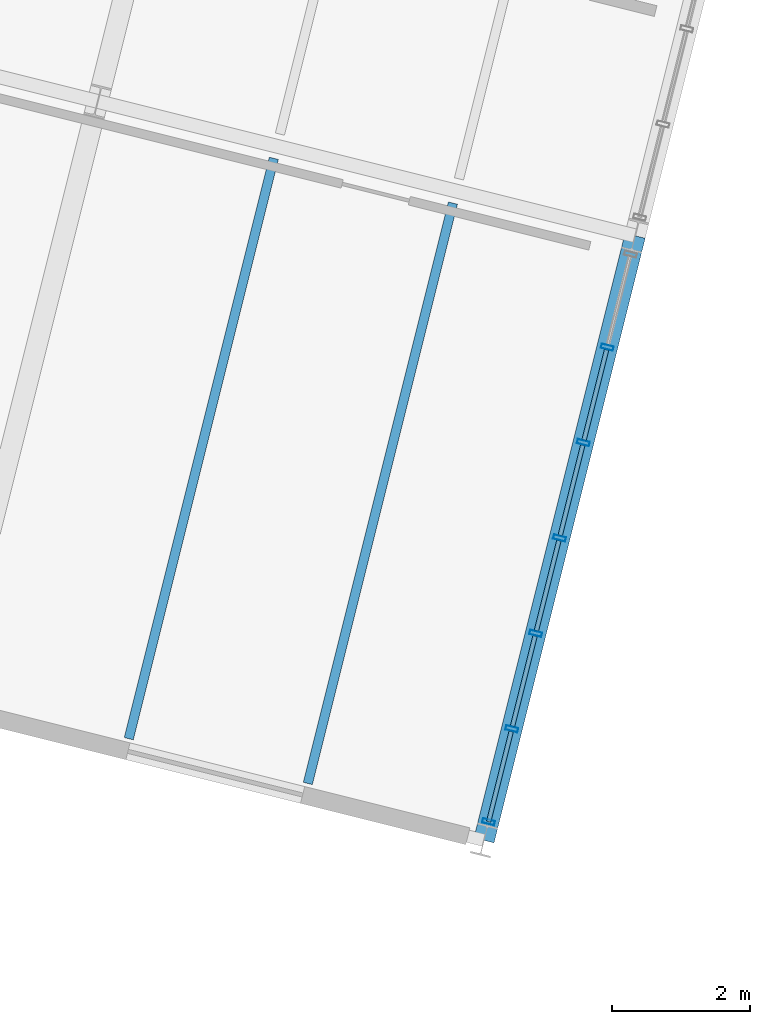
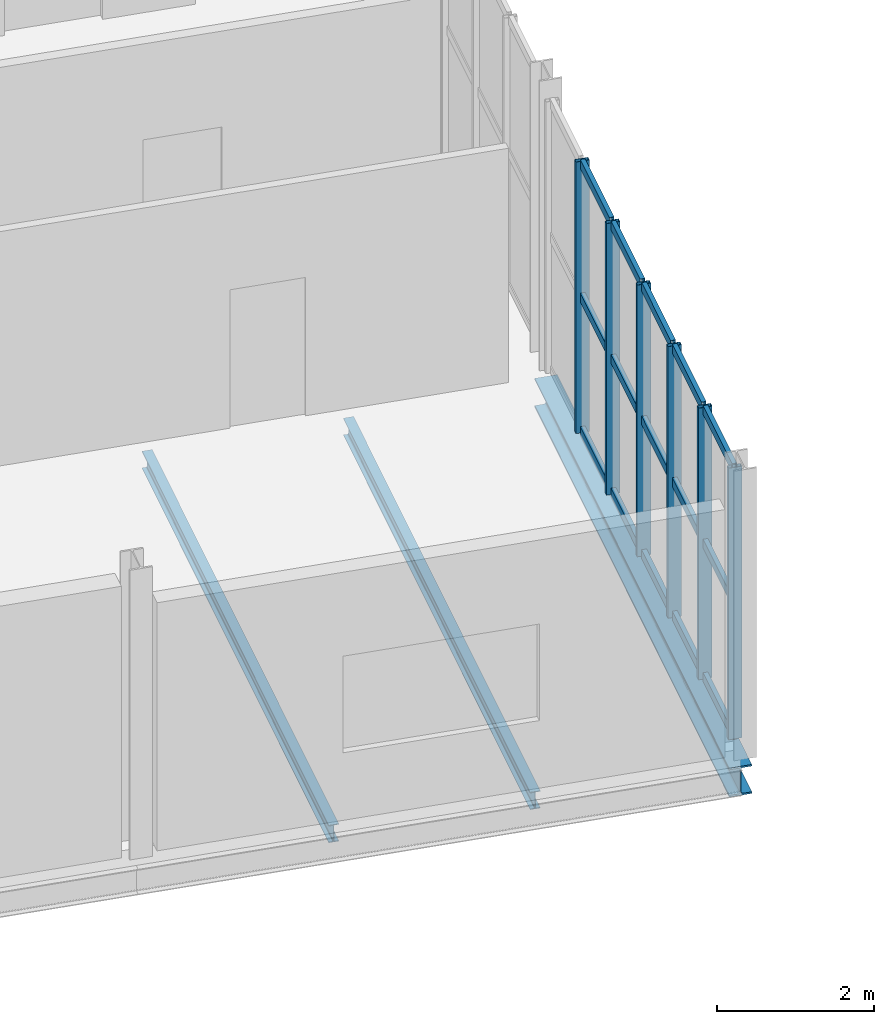
# One storey, part 96 of 152: 21 members, 3 beams, 1 element without a shape of its own.
"""IFC4 building model written with IfcOpenShell, lengths in metres."""

from ifc_helpers import new_model, si_unit, derived_unit, direction, frame, origin, origin_2d, place, context, subcontext, project, spatial, hollow_rectangle, i_section, extrude, material, material_profile, profile_set, type_object, element, aggregate, save


model = new_model("IFC4")

# Units and contexts
model_context = context("Model", 3, precision=1e-05, world=origin(), true_north=direction((0.0, 1.0)))
body_context = subcontext(model_context, "Body", "Model", "MODEL_VIEW")
ifc_project = project(units=[si_unit("LENGTHUNIT", "METRE"), si_unit("AREAUNIT", "SQUARE_METRE"), si_unit("VOLUMEUNIT", "CUBIC_METRE"), si_unit("PLANEANGLEUNIT", "RADIAN"), si_unit("MASSUNIT", "GRAM", prefix="KILO"), si_unit("THERMODYNAMICTEMPERATUREUNIT", "KELVIN"), si_unit("TIMEUNIT", "SECOND"), derived_unit("THERMALTRANSMITTANCEUNIT", [(si_unit("MASSUNIT", "GRAM", prefix="KILO"), 1), (si_unit("THERMODYNAMICTEMPERATUREUNIT", "KELVIN"), -1), (si_unit("TIMEUNIT", "SECOND"), -3)])], contexts=[model_context])

# Site, building, storey
site_placement = place(None, origin())
site = spatial("IfcSite", under=ifc_project, at=site_placement, CompositionType="ELEMENT")
building_placement = place(site_placement, origin())
building = spatial("IfcBuilding", under=site, at=building_placement, Name="Cambertide Market Hall", CompositionType="ELEMENT")
storey_placement = place(building_placement, frame((0.0, 0.0, 5.39990234375)))
storey = spatial("IfcBuildingStorey", under=building, at=storey_placement, Name="L02", CompositionType="ELEMENT", Elevation=5.39990234375)

# Curtain wall, members
ifc_material_1 = material(Name="Marine Anodized Aluminium 6063-T6 AA25", Category="aluminium")
curtain_wall_type = type_object("IfcCurtainWallType", Name="Cooking School Classroom Curtain Wall", PredefinedType="USERDEFINED", material=ifc_material_1)
curtain_wall_placement = place(storey_placement, origin())
curtain_wall = element("IfcCurtainWall", 1, at=curtain_wall_placement, inside=storey, type_object=curtain_wall_type, Name="Level 2 Curtain Wall CW-V4E-L02-1", ObjectType="UNITIZED CURTAIN WALL", PredefinedType="USERDEFINED")
ifc_material_2 = material(Name="Champagne Marine Anodized Aluminium 6063-T6 AA25", Category="aluminium")
ifc_material_profile_1 = material_profile(ifc_material_2, hollow_rectangle(XDim=0.06494140625, YDim=0.179931640625, WallThickness=0.00390625, at=origin_2d()), Name="ALU MULLION 65x180")
ifc_profile_set_1 = profile_set([ifc_material_profile_1], Name="Champagne Marine Anodized Aluminium 6063-T6 AA25")
member_type_1 = type_object("IfcMemberType", Name="Curtain Wall Mullion ALU MULLION 65x180", PredefinedType="MULLION", material=ifc_profile_set_1)
member_1_placement = place(storey_placement, frame((171.869384765625, 91.5986328125, 0.0), z_axis=(0.0, 0.0, 1.0), x_axis=(-0.242535569805, -0.970142513953, 0.0)))
member_1 = element("IfcMember", 2, at=member_1_placement, type_object=member_type_1, Name="CW-V4E-L02-1 Mullion 2", PredefinedType="MULLION", context=body_context, shape_type="SweptSolid", body=[
    extrude(hollow_rectangle(XDim=0.06494140625, YDim=0.179931640625, WallThickness=0.00390625, at=origin_2d()), origin(), (0.0, 0.0, 1.0), 4.22021484375),
])
member_2_placement = place(storey_placement, frame((171.52490234375, 90.220947265625, 0.0), z_axis=(0.0, 0.0, 1.0), x_axis=(-0.242535569805, -0.970142513953, 0.0)))
member_2 = element("IfcMember", 3, at=member_2_placement, type_object=member_type_1, Name="CW-V4E-L02-1 Mullion 3", PredefinedType="MULLION", context=body_context, shape_type="SweptSolid", body=[
    extrude(hollow_rectangle(XDim=0.06494140625, YDim=0.179931640625, WallThickness=0.00390625, at=origin_2d()), origin(), (0.0, 0.0, 1.0), 4.22021484375),
])
member_3_placement = place(storey_placement, frame((171.180419921875, 88.84326171875, 0.0), z_axis=(0.0, 0.0, 1.0), x_axis=(-0.242535569805, -0.970142513953, 0.0)))
member_3 = element("IfcMember", 4, at=member_3_placement, type_object=member_type_1, Name="CW-V4E-L02-1 Mullion 4", PredefinedType="MULLION", context=body_context, shape_type="SweptSolid", body=[
    extrude(hollow_rectangle(XDim=0.06494140625, YDim=0.179931640625, WallThickness=0.00390625, at=origin_2d()), origin(), (0.0, 0.0, 1.0), 4.22021484375),
])
member_4_placement = place(storey_placement, frame((170.836181640625, 87.4658203125, 0.0), z_axis=(0.0, 0.0, 1.0), x_axis=(-0.242535569805, -0.970142513953, 0.0)))
member_4 = element("IfcMember", 5, at=member_4_placement, type_object=member_type_1, Name="CW-V4E-L02-1 Mullion 5", PredefinedType="MULLION", context=body_context, shape_type="SweptSolid", body=[
    extrude(hollow_rectangle(XDim=0.06494140625, YDim=0.179931640625, WallThickness=0.00390625, at=origin_2d()), origin(), (0.0, 0.0, 1.0), 4.22021484375),
])
member_5_placement = place(storey_placement, frame((170.49169921875, 86.088134765625, 0.0), z_axis=(0.0, 0.0, 1.0), x_axis=(-0.242535569805, -0.970142513953, 0.0)))
member_5 = element("IfcMember", 6, at=member_5_placement, type_object=member_type_1, Name="CW-V4E-L02-1 Mullion 6", PredefinedType="MULLION", context=body_context, shape_type="SweptSolid", body=[
    extrude(hollow_rectangle(XDim=0.06494140625, YDim=0.179931640625, WallThickness=0.00390625, at=origin_2d()), origin(), (0.0, 0.0, 1.0), 4.22021484375),
])
member_6_placement = place(storey_placement, frame((170.15576171875, 84.74462890625, 0.0), z_axis=(0.0, 0.0, 1.0), x_axis=(-0.242535569805, -0.970142513953, 0.0)))
member_6 = element("IfcMember", 7, at=member_6_placement, type_object=member_type_1, Name="CW-V4E-L02-1 Mullion 7", PredefinedType="MULLION", context=body_context, shape_type="SweptSolid", body=[
    extrude(hollow_rectangle(XDim=0.06494140625, YDim=0.179931640625, WallThickness=0.00390625, at=origin_2d()), origin(), (0.0, 0.0, 1.0), 4.22021484375),
])
ifc_material_3 = material(Name="Champagne Marine Anodized Aluminium 6063-T6 AA25", Category="aluminium")
ifc_material_profile_2 = material_profile(ifc_material_3, hollow_rectangle(XDim=0.06494140625, YDim=0.139892578125, WallThickness=0.00341796875, at=origin_2d()), Name="ALU TRANSOM 65x140")
ifc_profile_set_2 = profile_set([ifc_material_profile_2], Name="Champagne Marine Anodized Aluminium 6063-T6 AA25")
member_type_2 = type_object("IfcMemberType", Name="Curtain Wall Transom ALU TRANSOM 65x140", PredefinedType="USERDEFINED", material=ifc_profile_set_2)
member_7_placement = place(storey_placement, frame((171.859619140625, 91.559814453125, 0.03515625), z_axis=(-0.242492756941, -0.970153216163, 0.0), x_axis=(0.970153216163, -0.242492756941, 0.0)))
member_7 = element("IfcMember", 8, at=member_7_placement, type_object=member_type_2, Name="CW-V4E-L02-1 Transom 1-2", ObjectType="TRANSOM", PredefinedType="USERDEFINED", context=body_context, shape_type="SweptSolid", body=[
    extrude(hollow_rectangle(XDim=0.06494140625, YDim=0.139892578125, WallThickness=0.00341796875, at=origin_2d()), origin(), (0.0, 0.0, 1.0), 1.340087890625),
])
member_8_placement = place(storey_placement, frame((171.51513671875, 90.18212890625, 0.03515625), z_axis=(-0.242492756941, -0.970153216163, 0.0), x_axis=(0.970153216163, -0.242492756941, 0.0)))
member_8 = element("IfcMember", 9, at=member_8_placement, type_object=member_type_2, Name="CW-V4E-L02-1 Transom 1-3", ObjectType="TRANSOM", PredefinedType="USERDEFINED", context=body_context, shape_type="SweptSolid", body=[
    extrude(hollow_rectangle(XDim=0.06494140625, YDim=0.139892578125, WallThickness=0.00341796875, at=origin_2d()), origin(), (0.0, 0.0, 1.0), 1.340087890625),
])
member_9_placement = place(storey_placement, frame((171.1708984375, 88.804443359375, 0.03515625), z_axis=(-0.242535625036, -0.970142500145, 0.0), x_axis=(0.970142500145, -0.242535625036, 0.0)))
member_9 = element("IfcMember", 10, at=member_9_placement, type_object=member_type_2, Name="CW-V4E-L02-1 Transom 1-4", ObjectType="TRANSOM", PredefinedType="USERDEFINED", context=body_context, shape_type="SweptSolid", body=[
    extrude(hollow_rectangle(XDim=0.06494140625, YDim=0.139892578125, WallThickness=0.00341796875, at=origin_2d()), origin(), (0.0, 0.0, 1.0), 1.33984375),
])
member_10_placement = place(storey_placement, frame((170.826416015625, 87.427001953125, 0.03515625), z_axis=(-0.242492756941, -0.970153216163, 0.0), x_axis=(0.970153216163, -0.242492756941, 0.0)))
member_10 = element("IfcMember", 11, at=member_10_placement, type_object=member_type_2, Name="CW-V4E-L02-1 Transom 1-5", ObjectType="TRANSOM", PredefinedType="USERDEFINED", context=body_context, shape_type="SweptSolid", body=[
    extrude(hollow_rectangle(XDim=0.06494140625, YDim=0.139892578125, WallThickness=0.00341796875, at=origin_2d()), origin(), (0.0, 0.0, 1.0), 1.340087890625),
])
member_11_placement = place(storey_placement, frame((170.48193359375, 86.04931640625, 0.03515625), z_axis=(-0.242492756941, -0.970153216163, 0.0), x_axis=(0.970153216163, -0.242492756941, 0.0)))
member_11 = element("IfcMember", 12, at=member_11_placement, type_object=member_type_2, Name="CW-V4E-L02-1 Transom 1-6", ObjectType="TRANSOM", PredefinedType="USERDEFINED", context=body_context, shape_type="SweptSolid", body=[
    extrude(hollow_rectangle(XDim=0.06494140625, YDim=0.139892578125, WallThickness=0.00341796875, at=origin_2d()), origin(), (0.0, 0.0, 1.0), 1.340087890625),
])
member_12_placement = place(storey_placement, frame((171.859619140625, 91.559814453125, 2.110107421875), z_axis=(-0.242492756941, -0.970153216163, 0.0), x_axis=(0.970153216163, -0.242492756941, 0.0)))
member_12 = element("IfcMember", 13, at=member_12_placement, type_object=member_type_2, Name="CW-V4E-L02-1 Transom 2-2", ObjectType="TRANSOM", PredefinedType="USERDEFINED", context=body_context, shape_type="SweptSolid", body=[
    extrude(hollow_rectangle(XDim=0.06494140625, YDim=0.139892578125, WallThickness=0.00341796875, at=origin_2d()), origin(), (0.0, 0.0, 1.0), 1.340087890625),
])
member_13_placement = place(storey_placement, frame((171.51513671875, 90.18212890625, 2.110107421875), z_axis=(-0.242492756941, -0.970153216163, 0.0), x_axis=(0.970153216163, -0.242492756941, 0.0)))
member_13 = element("IfcMember", 14, at=member_13_placement, type_object=member_type_2, Name="CW-V4E-L02-1 Transom 2-3", ObjectType="TRANSOM", PredefinedType="USERDEFINED", context=body_context, shape_type="SweptSolid", body=[
    extrude(hollow_rectangle(XDim=0.06494140625, YDim=0.139892578125, WallThickness=0.00341796875, at=origin_2d()), origin(), (0.0, 0.0, 1.0), 1.340087890625),
])
member_14_placement = place(storey_placement, frame((171.1708984375, 88.804443359375, 2.110107421875), z_axis=(-0.242535625036, -0.970142500145, 0.0), x_axis=(0.970142500145, -0.242535625036, 0.0)))
member_14 = element("IfcMember", 15, at=member_14_placement, type_object=member_type_2, Name="CW-V4E-L02-1 Transom 2-4", ObjectType="TRANSOM", PredefinedType="USERDEFINED", context=body_context, shape_type="SweptSolid", body=[
    extrude(hollow_rectangle(XDim=0.06494140625, YDim=0.139892578125, WallThickness=0.00341796875, at=origin_2d()), origin(), (0.0, 0.0, 1.0), 1.33984375),
])
member_15_placement = place(storey_placement, frame((170.826416015625, 87.427001953125, 2.110107421875), z_axis=(-0.242492756941, -0.970153216163, 0.0), x_axis=(0.970153216163, -0.242492756941, 0.0)))
member_15 = element("IfcMember", 16, at=member_15_placement, type_object=member_type_2, Name="CW-V4E-L02-1 Transom 2-5", ObjectType="TRANSOM", PredefinedType="USERDEFINED", context=body_context, shape_type="SweptSolid", body=[
    extrude(hollow_rectangle(XDim=0.06494140625, YDim=0.139892578125, WallThickness=0.00341796875, at=origin_2d()), origin(), (0.0, 0.0, 1.0), 1.340087890625),
])
member_16_placement = place(storey_placement, frame((170.48193359375, 86.04931640625, 2.110107421875), z_axis=(-0.242492756941, -0.970153216163, 0.0), x_axis=(0.970153216163, -0.242492756941, 0.0)))
member_16 = element("IfcMember", 17, at=member_16_placement, type_object=member_type_2, Name="CW-V4E-L02-1 Transom 2-6", ObjectType="TRANSOM", PredefinedType="USERDEFINED", context=body_context, shape_type="SweptSolid", body=[
    extrude(hollow_rectangle(XDim=0.06494140625, YDim=0.139892578125, WallThickness=0.00341796875, at=origin_2d()), origin(), (0.0, 0.0, 1.0), 1.340087890625),
])
member_17_placement = place(storey_placement, frame((171.859619140625, 91.559814453125, 4.18505859375), z_axis=(-0.242492756941, -0.970153216163, 0.0), x_axis=(0.970153216163, -0.242492756941, 0.0)))
member_17 = element("IfcMember", 18, at=member_17_placement, type_object=member_type_2, Name="CW-V4E-L02-1 Transom 3-2", ObjectType="TRANSOM", PredefinedType="USERDEFINED", context=body_context, shape_type="SweptSolid", body=[
    extrude(hollow_rectangle(XDim=0.06494140625, YDim=0.139892578125, WallThickness=0.00341796875, at=origin_2d()), origin(), (0.0, 0.0, 1.0), 1.340087890625),
])
member_18_placement = place(storey_placement, frame((171.51513671875, 90.18212890625, 4.18505859375), z_axis=(-0.242492756941, -0.970153216163, 0.0), x_axis=(0.970153216163, -0.242492756941, 0.0)))
member_18 = element("IfcMember", 19, at=member_18_placement, type_object=member_type_2, Name="CW-V4E-L02-1 Transom 3-3", ObjectType="TRANSOM", PredefinedType="USERDEFINED", context=body_context, shape_type="SweptSolid", body=[
    extrude(hollow_rectangle(XDim=0.06494140625, YDim=0.139892578125, WallThickness=0.00341796875, at=origin_2d()), origin(), (0.0, 0.0, 1.0), 1.340087890625),
])
member_19_placement = place(storey_placement, frame((171.1708984375, 88.804443359375, 4.18505859375), z_axis=(-0.242535625036, -0.970142500145, 0.0), x_axis=(0.970142500145, -0.242535625036, 0.0)))
member_19 = element("IfcMember", 20, at=member_19_placement, type_object=member_type_2, Name="CW-V4E-L02-1 Transom 3-4", ObjectType="TRANSOM", PredefinedType="USERDEFINED", context=body_context, shape_type="SweptSolid", body=[
    extrude(hollow_rectangle(XDim=0.06494140625, YDim=0.139892578125, WallThickness=0.00341796875, at=origin_2d()), origin(), (0.0, 0.0, 1.0), 1.33984375),
])
member_20_placement = place(storey_placement, frame((170.826416015625, 87.427001953125, 4.18505859375), z_axis=(-0.242492756941, -0.970153216163, 0.0), x_axis=(0.970153216163, -0.242492756941, 0.0)))
member_20 = element("IfcMember", 21, at=member_20_placement, type_object=member_type_2, Name="CW-V4E-L02-1 Transom 3-5", ObjectType="TRANSOM", PredefinedType="USERDEFINED", context=body_context, shape_type="SweptSolid", body=[
    extrude(hollow_rectangle(XDim=0.06494140625, YDim=0.139892578125, WallThickness=0.00341796875, at=origin_2d()), origin(), (0.0, 0.0, 1.0), 1.340087890625),
])
member_21_placement = place(storey_placement, frame((170.48193359375, 86.04931640625, 4.18505859375), z_axis=(-0.242492756941, -0.970153216163, 0.0), x_axis=(0.970153216163, -0.242492756941, 0.0)))
member_21 = element("IfcMember", 22, at=member_21_placement, type_object=member_type_2, Name="CW-V4E-L02-1 Transom 3-6", ObjectType="TRANSOM", PredefinedType="USERDEFINED", context=body_context, shape_type="SweptSolid", body=[
    extrude(hollow_rectangle(XDim=0.06494140625, YDim=0.139892578125, WallThickness=0.00341796875, at=origin_2d()), origin(), (0.0, 0.0, 1.0), 1.340087890625),
])
aggregate(curtain_wall, [member_1, member_2, member_3, member_4, member_5, member_6, member_7, member_8, member_9, member_10, member_11, member_12, member_13, member_14, member_15, member_16, member_17, member_18, member_19, member_20, member_21])

# Beams
ifc_material_4 = material(Name="Steel S355", Category="steel")
ifc_material_profile_3 = material_profile(ifc_material_4, i_section(OverallWidth=0.300048828125, OverallDepth=0.449951171875, WebThickness=0.013916015625, FlangeThickness=0.02587890625, FilletRadius=0.027099609375, at=origin_2d()), Name="HEB 450")
ifc_profile_set_3 = profile_set([ifc_material_profile_3], Name="Steel S355")
beam_type_1 = type_object("IfcBeamType", Name="Steel Girder HEB 450", PredefinedType="BEAM", material=ifc_profile_set_3)
beam_placement = place(storey_placement, frame((170.089111328125, 84.477783203125, -0.489990234375), z_axis=(0.242542007841, 0.970140904422, 0.0), x_axis=(-0.970140904422, 0.242542007841, 0.0)))
element("IfcBeam", 23, at=beam_placement, inside=storey, type_object=beam_type_1, Name="Level 2 Beam BM-V4V-L02-9-1", PredefinedType="BEAM", context=body_context, shape_type="SweptSolid", body=[
    extrude(i_section(OverallWidth=0.300048828125, OverallDepth=0.449951171875, WebThickness=0.013916015625, FlangeThickness=0.02587890625, FilletRadius=0.027099609375, at=origin_2d()), origin(), (0.0, 0.0, 1.0), 9.0),
])
ifc_material_5 = material(Name="Steel S275", Category="steel")
ifc_material_profile_4 = material_profile(ifc_material_5, i_section(OverallWidth=0.135009765625, OverallDepth=0.27001953125, WebThickness=0.006591796875, FlangeThickness=0.01025390625, FilletRadius=0.014892578125, at=origin_2d()), Name="IPE 270")
ifc_profile_set_4 = profile_set([ifc_material_profile_4], Name="Steel S275")
beam_type_2 = type_object("IfcBeamType", Name="Steel Secondary Joist IPE 270", PredefinedType="JOIST", material=ifc_profile_set_4)
for number, where, z_axis, x_axis, name in (
    (24, (164.958740234375, 85.94580078125, -0.39990234375), (0.242528976348, 0.970144162293, 0.0), (-0.970144162293, 0.242528976348, 0.0), "Level 2 Joist JS-V4-L02-8-1-1"),
    (25, (167.545654296875, 85.299072265625, -0.39990234375), (0.242555570896, 0.970137513463, 0.0), (-0.970137513463, 0.242555570896, 0.0), "Level 2 Joist JS-V4-L02-8-1-2"),
):
    element("IfcBeam", number, at=place(storey_placement, frame(where, z_axis=z_axis, x_axis=x_axis)), inside=storey, type_object=beam_type_2, Name=name, PredefinedType="JOIST", context=body_context, shape_type="SweptSolid", body=[
        extrude(i_section(OverallWidth=0.135009765625, OverallDepth=0.27001953125, WebThickness=0.006591796875, FlangeThickness=0.01025390625, FilletRadius=0.014892578125, at=origin_2d()), origin(), (0.0, 0.0, 1.0), 8.64013671875),
    ])

save(model, "model.ifc")
